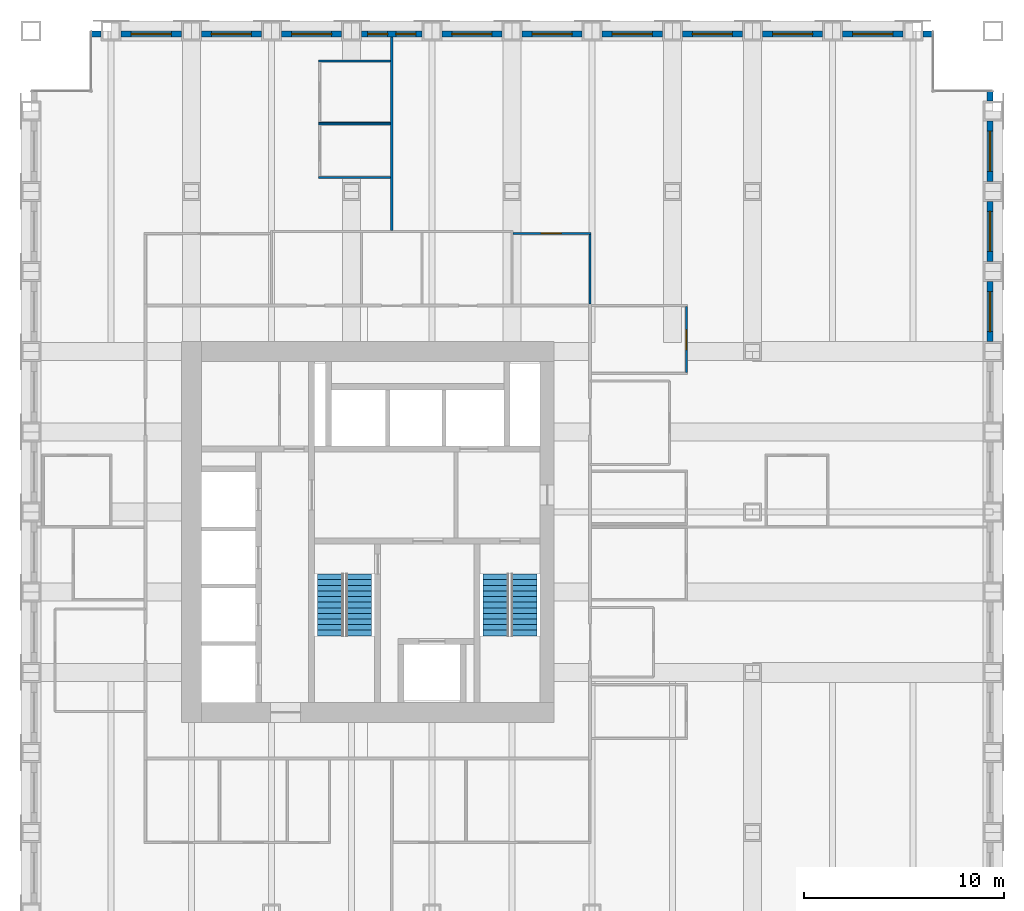
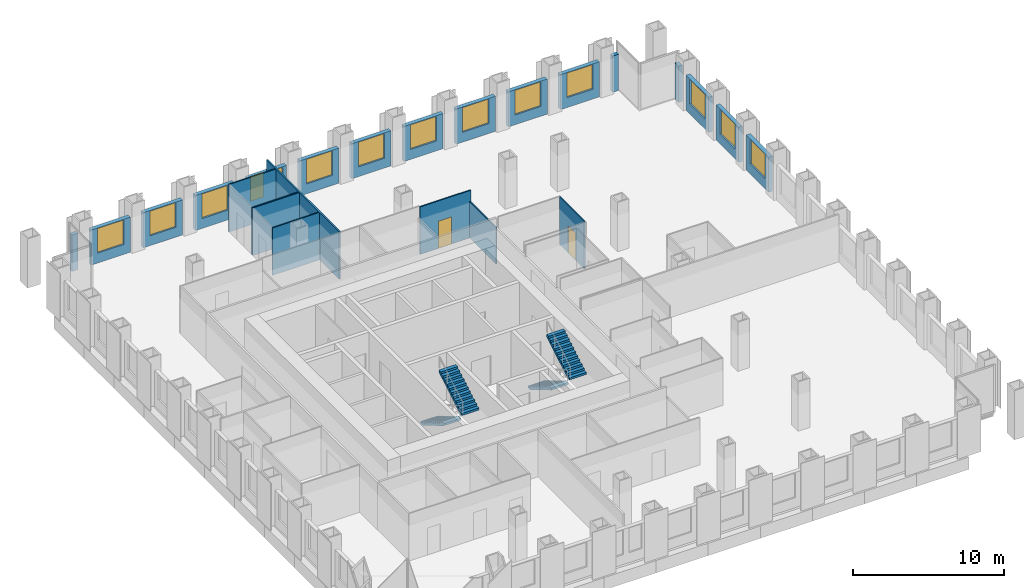
# One storey, part 14 of 16: 24 walls, 14 windows, 4 stair flights, 2 doors, 16 openings, 2 elements without a shape of their own.
"""IFC4 building model written with IfcOpenShell, lengths in metres."""

from ifc_helpers import new_model, si_unit, direction, frame, frame_2d, origin, place, context, subcontext, project, spatial, polyline, rectangle, outline, extrude, material, layer, layer_set, type_object, element, fill, aggregate, save


model = new_model("IFC4")

# Units and contexts
model_context = context("Model", 3, precision=1e-05, world=origin(), true_north=direction((0.0, 1.0)))
body_context = subcontext(model_context, "Body", "Model", "MODEL_VIEW")
ifc_project = project(units=[si_unit("LENGTHUNIT", "METRE"), si_unit("AREAUNIT", "SQUARE_METRE"), si_unit("VOLUMEUNIT", "CUBIC_METRE"), si_unit("PLANEANGLEUNIT", "RADIAN"), si_unit("MASSUNIT", "GRAM", prefix="KILO")], contexts=[model_context])

# Site, building, storey
site_placement = place(None, origin())
site = spatial("IfcSite", under=ifc_project, at=site_placement, CompositionType="ELEMENT")
building_placement = place(site_placement, origin())
building = spatial("IfcBuilding", under=site, at=building_placement, Name="Rimbunsela Tower", CompositionType="ELEMENT")
storey_placement = place(building_placement, frame((0.0, 0.0, 125.39990234375)))
storey = spatial("IfcBuildingStorey", under=building, at=storey_placement, Name="L30", CompositionType="ELEMENT", Elevation=125.39990234375)

# Wall, opening, door
ifc_material_1 = material(Name="Gypsum board on steel studs", Category="steel")
ifc_layer_1 = layer(ifc_material_1, 0.10009765625)
ifc_layer_set_1 = layer_set([ifc_layer_1], Name="Office partition 100")
wall_type_1 = type_object("IfcWallType", Name="Office partition 100", PredefinedType="PARTITIONING", material=ifc_layer_set_1)
wall_1_placement = place(storey_placement, frame((34.050048828125, 41.89990234375, 0.0), z_axis=(0.0, 0.0, 1.0), x_axis=(1.0, 0.0, 0.0)))
wall_1 = element("IfcWall", 1, at=wall_1_placement, inside=storey, type_object=wall_type_1, Name="Office partition", PredefinedType="PARTITIONING", context=body_context, shape_type="SweptSolid", body=[
    extrude(rectangle(XDim=3.89990234375, YDim=0.10009765625, at=frame_2d((1.949951171875, 0.0))), origin(), (0.0, 0.0, 1.0), 3.85009765625),
])
opening_1_placement = place(wall_1_placement, frame((1.39990234375, 0.0, 0.0)))
opening_1 = element("IfcOpeningElement", 2, at=opening_1_placement, cuts=wall_1, Name="Opening D17", PredefinedType="OPENING", context=body_context, shape_type="SweptSolid", body=[
    extrude(rectangle(XDim=1.0, YDim=2.199951171875, at=frame_2d((0.5, 1.10009765625))), frame((0.0, 0.06005859375, 0.0), z_axis=(0.0, -1.0, 0.0), x_axis=(1.0, 0.0, 0.0)), (0.0, 0.0, 1.0), 0.1201171875),
])
ifc_material_2 = material(Name="Glazed aluminium door", Category="aluminium")
door_type_1 = type_object("IfcDoorType", Name="Meeting room door 1000 glazed", OperationType="SINGLE_SWING_RIGHT", PredefinedType="DOOR", material=ifc_material_2)
door_1_placement = place(opening_1_placement, origin())
door_1 = element("IfcDoor", 3, at=door_1_placement, inside=storey, type_object=door_type_1, Name="Meeting room door", OperationType="SINGLE_SWING_RIGHT", OverallHeight=2.199951171875, OverallWidth=1.0, PredefinedType="DOOR", context=body_context, shape_type="SweptSolid", body=[
    extrude(rectangle(XDim=1.0, YDim=2.199951171875, at=frame_2d((0.5, 1.10009765625))), frame((0.0, 0.02490234375, 0.0), z_axis=(0.0, -1.0, 0.0), x_axis=(1.0, 0.0, 0.0)), (0.0, 0.0, 1.0), 0.050048828125),
])
fill(opening_1, door_1)

# Walls
for number, where, z_axis, x_axis, name in (
    (4, (24.35009765625, 44.699951171875, 0.0), (0.0, 0.0, 1.0), (1.0, 0.0, 0.0), "Office partition"),
    (5, (24.35009765625, 47.35009765625, 0.0), (0.0, 0.0, 1.0), (1.0, 0.0, 0.0), "Office partition"),
    (6, (24.35009765625, 47.39990234375, 0.0), (0.0, 0.0, 1.0), (1.0, 0.0, 0.0), "Office partition"),
    (7, (24.35009765625, 50.5, 0.0), (0.0, 0.0, 1.0), (1.0, 0.0, 0.0), "Office partition"),
):
    element("IfcWall", number, at=place(storey_placement, frame(where, z_axis=z_axis, x_axis=x_axis)), inside=storey, type_object=wall_type_1, Name=name, PredefinedType="PARTITIONING", context=body_context, shape_type="SweptSolid", body=[
        extrude(rectangle(XDim=3.58984375, YDim=0.10009765625, at=frame_2d((1.794921875, 0.0))), origin(), (0.0, 0.0, 1.0), 3.85009765625),
    ])
wall_2_placement = place(storey_placement, frame((37.89990234375, 38.375, 0.0), z_axis=(0.0, 0.0, 1.0), x_axis=(0.0, 1.0, 0.0)))
element("IfcWall", 8, at=wall_2_placement, inside=storey, type_object=wall_type_1, Name="Office partition", PredefinedType="PARTITIONING", context=body_context, shape_type="SweptSolid", body=[
    extrude(rectangle(XDim=3.47509765625, YDim=0.10009765625, at=frame_2d((1.737548828125, 0.0))), origin(), (0.0, 0.0, 1.0), 2.9501953125),
])

# Wall, opening, door
wall_3_placement = place(storey_placement, frame((42.699951171875, 34.949951171875, 0.0), z_axis=(0.0, 0.0, 1.0), x_axis=(0.0, 1.0, 0.0)))
wall_3 = element("IfcWall", 9, at=wall_3_placement, inside=storey, type_object=wall_type_1, Name="Office partition", PredefinedType="PARTITIONING", context=body_context, shape_type="SweptSolid", body=[
    extrude(rectangle(XDim=3.300048828125, YDim=0.10009765625, at=frame_2d((1.64990234375, 0.0))), origin(), (0.0, 0.0, 1.0), 3.85009765625),
])
opening_2_placement = place(wall_3_placement, frame((1.14990234375, 0.0, 0.0)))
opening_2 = element("IfcOpeningElement", 10, at=opening_2_placement, cuts=wall_3, Name="Opening D16", PredefinedType="OPENING", context=body_context, shape_type="SweptSolid", body=[
    extrude(rectangle(XDim=1.0, YDim=2.199951171875, at=frame_2d((0.5, 1.10009765625))), frame((0.0, 0.06005859375, 0.0), z_axis=(0.0, -1.0, 0.0), x_axis=(1.0, 0.0, 0.0)), (0.0, 0.0, 1.0), 0.1201171875),
])
ifc_material_3 = material(Name="Timber door", Category="wood")
door_type_2 = type_object("IfcDoorType", Name="Office door 1000", OperationType="SINGLE_SWING_LEFT", PredefinedType="DOOR", material=ifc_material_3)
door_2_placement = place(opening_2_placement, origin())
door_2 = element("IfcDoor", 11, at=door_2_placement, inside=storey, type_object=door_type_2, Name="Office door", OperationType="SINGLE_SWING_LEFT", OverallHeight=2.199951171875, OverallWidth=1.0, PredefinedType="DOOR", context=body_context, shape_type="SweptSolid", body=[
    extrude(rectangle(XDim=1.0, YDim=2.199951171875, at=frame_2d((0.5, 1.10009765625))), frame((0.0, 0.02490234375, 0.0), z_axis=(0.0, -1.0, 0.0), x_axis=(1.0, 0.0, 0.0)), (0.0, 0.0, 1.0), 0.050048828125),
])
fill(opening_2, door_2)

# Wall, opening, window
ifc_material_4 = material(Name="Precast concrete fc' 35 MPa", Category="concrete")
ifc_layer_2 = layer(ifc_material_4, 0.300048828125)
ifc_layer_set_2 = layer_set([ifc_layer_2], Name="Precast concrete fc' 35 MPa")
wall_type_2 = type_object("IfcWallType", Name="Precast facade panel 300", PredefinedType="ELEMENTEDWALL", material=ifc_layer_set_2)
wall_4_placement = place(storey_placement, frame((57.85009765625, 36.5, 0.0), z_axis=(0.0, 0.0, 1.0), x_axis=(0.0, 1.0, 0.0)))
wall_4 = element("IfcWall", 12, at=wall_4_placement, inside=storey, type_object=wall_type_2, Name="Facade panel E L30", PredefinedType="ELEMENTEDWALL", context=body_context, shape_type="SweptSolid", body=[
    extrude(rectangle(XDim=3.0, YDim=0.300048828125, at=frame_2d((1.5, 0.0))), origin(), (0.0, 0.0, 1.0), 2.85009765625),
])
opening_3_placement = place(wall_4_placement, frame((0.5, 0.0, 0.800048828125)))
opening_3 = element("IfcOpeningElement", 13, at=opening_3_placement, cuts=wall_4, Name="Opening W1", PredefinedType="OPENING", context=body_context, shape_type="SweptSolid", body=[
    extrude(rectangle(XDim=2.0, YDim=2.0, at=frame_2d((1.0, 1.0))), frame((0.0, 0.159912109375, 0.0), z_axis=(0.0, -1.0, 0.0), x_axis=(1.0, 0.0, 0.0)), (0.0, 0.0, 1.0), 0.320068359375),
])
ifc_material_5 = material(Name="Clear glass in aluminium frame", Category="aluminium")
window_type_1 = type_object("IfcWindowType", Name="Window W1 2000x2000", PartitioningType="DOUBLE_PANEL_VERTICAL", PredefinedType="WINDOW", material=ifc_material_5)
window_1_placement = place(opening_3_placement, origin())
window_1 = element("IfcWindow", 14, at=window_1_placement, inside=storey, type_object=window_type_1, Name="Window L30", OverallHeight=2.0, OverallWidth=2.0, PartitioningType="SINGLE_PANEL", PredefinedType="WINDOW", context=body_context, shape_type="SweptSolid", body=[
    extrude(rectangle(XDim=2.0, YDim=2.0, at=frame_2d((1.0, 1.0))), frame((0.0, 0.030029296875, 0.0), z_axis=(0.0, -1.0, 0.0), x_axis=(1.0, 0.0, 0.0)), (0.0, 0.0, 1.0), 0.06005859375),
])
fill(opening_3, window_1)

wall_5_placement = place(storey_placement, frame((57.85009765625, 40.5, 0.0), z_axis=(0.0, 0.0, 1.0), x_axis=(0.0, 1.0, 0.0)))
wall_5 = element("IfcWall", 15, at=wall_5_placement, inside=storey, type_object=wall_type_2, Name="Facade panel E L30", PredefinedType="ELEMENTEDWALL", context=body_context, shape_type="SweptSolid", body=[
    extrude(rectangle(XDim=3.0, YDim=0.300048828125, at=frame_2d((1.5, 0.0))), origin(), (0.0, 0.0, 1.0), 2.85009765625),
])
opening_4_placement = place(wall_5_placement, frame((0.5, 0.0, 0.800048828125)))
opening_4 = element("IfcOpeningElement", 16, at=opening_4_placement, cuts=wall_5, Name="Opening W1", PredefinedType="OPENING", context=body_context, shape_type="SweptSolid", body=[
    extrude(rectangle(XDim=2.0, YDim=2.0, at=frame_2d((1.0, 1.0))), frame((0.0, 0.159912109375, 0.0), z_axis=(0.0, -1.0, 0.0), x_axis=(1.0, 0.0, 0.0)), (0.0, 0.0, 1.0), 0.320068359375),
])
window_2_placement = place(opening_4_placement, origin())
window_2 = element("IfcWindow", 17, at=window_2_placement, inside=storey, type_object=window_type_1, Name="Window L30", OverallHeight=2.0, OverallWidth=2.0, PartitioningType="SINGLE_PANEL", PredefinedType="WINDOW", context=body_context, shape_type="SweptSolid", body=[
    extrude(rectangle(XDim=2.0, YDim=2.0, at=frame_2d((1.0, 1.0))), frame((0.0, 0.030029296875, 0.0), z_axis=(0.0, -1.0, 0.0), x_axis=(1.0, 0.0, 0.0)), (0.0, 0.0, 1.0), 0.06005859375),
])
fill(opening_4, window_2)

wall_6_placement = place(storey_placement, frame((57.85009765625, 44.5, 0.0), z_axis=(0.0, 0.0, 1.0), x_axis=(0.0, 1.0, 0.0)))
wall_6 = element("IfcWall", 18, at=wall_6_placement, inside=storey, type_object=wall_type_2, Name="Facade panel E L30", PredefinedType="ELEMENTEDWALL", context=body_context, shape_type="SweptSolid", body=[
    extrude(rectangle(XDim=3.0, YDim=0.300048828125, at=frame_2d((1.5, 0.0))), origin(), (0.0, 0.0, 1.0), 2.85009765625),
])
opening_5_placement = place(wall_6_placement, frame((0.5, 0.0, 0.800048828125)))
opening_5 = element("IfcOpeningElement", 19, at=opening_5_placement, cuts=wall_6, Name="Opening W1", PredefinedType="OPENING", context=body_context, shape_type="SweptSolid", body=[
    extrude(rectangle(XDim=2.0, YDim=2.0, at=frame_2d((1.0, 1.0))), frame((0.0, 0.159912109375, 0.0), z_axis=(0.0, -1.0, 0.0), x_axis=(1.0, 0.0, 0.0)), (0.0, 0.0, 1.0), 0.320068359375),
])
window_3_placement = place(opening_5_placement, origin())
window_3 = element("IfcWindow", 20, at=window_3_placement, inside=storey, type_object=window_type_1, Name="Window L30", OverallHeight=2.0, OverallWidth=2.0, PartitioningType="SINGLE_PANEL", PredefinedType="WINDOW", context=body_context, shape_type="SweptSolid", body=[
    extrude(rectangle(XDim=2.0, YDim=2.0, at=frame_2d((1.0, 1.0))), frame((0.0, 0.030029296875, 0.0), z_axis=(0.0, -1.0, 0.0), x_axis=(1.0, 0.0, 0.0)), (0.0, 0.0, 1.0), 0.06005859375),
])
fill(opening_5, window_3)

# Walls
for number, where, z_axis, x_axis, name in (
    (21, (57.85009765625, 48.5, 0.0), (0.0, 0.0, 1.0), (0.0, 1.0, 0.0), "Facade panel E L30"),
    (22, (13.5, 51.85009765625, 0.0), (0.0, 0.0, 1.0), (-1.0, 0.0, 0.0), "Facade panel N L30"),
):
    element("IfcWall", number, at=place(storey_placement, frame(where, z_axis=z_axis, x_axis=x_axis)), inside=storey, type_object=wall_type_2, Name=name, PredefinedType="ELEMENTEDWALL", context=body_context, shape_type="SweptSolid", body=[
        extrude(rectangle(XDim=0.469970703125, YDim=0.300048828125, at=frame_2d((0.23486328125, 0.0))), origin(), (0.0, 0.0, 1.0), 2.9501953125),
    ])

# Wall, opening, window
wall_7_placement = place(storey_placement, frame((17.5, 51.85009765625, 0.0), z_axis=(0.0, 0.0, 1.0), x_axis=(-1.0, 0.0, 0.0)))
wall_7 = element("IfcWall", 23, at=wall_7_placement, inside=storey, type_object=wall_type_2, Name="Facade panel N L30", PredefinedType="ELEMENTEDWALL", context=body_context, shape_type="SweptSolid", body=[
    extrude(rectangle(XDim=3.0, YDim=0.300048828125, at=frame_2d((1.5, 0.0))), origin(), (0.0, 0.0, 1.0), 2.85009765625),
])
opening_6_placement = place(wall_7_placement, frame((0.5, 0.0, 0.800048828125)))
opening_6 = element("IfcOpeningElement", 24, at=opening_6_placement, cuts=wall_7, Name="Opening W1", PredefinedType="OPENING", context=body_context, shape_type="SweptSolid", body=[
    extrude(rectangle(XDim=2.0, YDim=2.0, at=frame_2d((1.0, 1.0))), frame((0.0, 0.159912109375, 0.0), z_axis=(0.0, -1.0, 0.0), x_axis=(1.0, 0.0, 0.0)), (0.0, 0.0, 1.0), 0.320068359375),
])
window_4_placement = place(opening_6_placement, origin())
window_4 = element("IfcWindow", 25, at=window_4_placement, inside=storey, type_object=window_type_1, Name="Window L30", OverallHeight=2.0, OverallWidth=2.0, PartitioningType="SINGLE_PANEL", PredefinedType="WINDOW", context=body_context, shape_type="SweptSolid", body=[
    extrude(rectangle(XDim=2.0, YDim=2.0, at=frame_2d((1.0, 1.0))), frame((0.0, 0.030029296875, 0.0), z_axis=(0.0, -1.0, 0.0), x_axis=(1.0, 0.0, 0.0)), (0.0, 0.0, 1.0), 0.06005859375),
])
fill(opening_6, window_4)

wall_8_placement = place(storey_placement, frame((21.5, 51.85009765625, 0.0), z_axis=(0.0, 0.0, 1.0), x_axis=(-1.0, 0.0, 0.0)))
wall_8 = element("IfcWall", 26, at=wall_8_placement, inside=storey, type_object=wall_type_2, Name="Facade panel N L30", PredefinedType="ELEMENTEDWALL", context=body_context, shape_type="SweptSolid", body=[
    extrude(rectangle(XDim=3.0, YDim=0.300048828125, at=frame_2d((1.5, 0.0))), origin(), (0.0, 0.0, 1.0), 2.85009765625),
])
opening_7_placement = place(wall_8_placement, frame((0.5, 0.0, 0.800048828125)))
opening_7 = element("IfcOpeningElement", 27, at=opening_7_placement, cuts=wall_8, Name="Opening W1", PredefinedType="OPENING", context=body_context, shape_type="SweptSolid", body=[
    extrude(rectangle(XDim=2.0, YDim=2.0, at=frame_2d((1.0, 1.0))), frame((0.0, 0.159912109375, 0.0), z_axis=(0.0, -1.0, 0.0), x_axis=(1.0, 0.0, 0.0)), (0.0, 0.0, 1.0), 0.320068359375),
])
window_5_placement = place(opening_7_placement, origin())
window_5 = element("IfcWindow", 28, at=window_5_placement, inside=storey, type_object=window_type_1, Name="Window L30", OverallHeight=2.0, OverallWidth=2.0, PartitioningType="SINGLE_PANEL", PredefinedType="WINDOW", context=body_context, shape_type="SweptSolid", body=[
    extrude(rectangle(XDim=2.0, YDim=2.0, at=frame_2d((1.0, 1.0))), frame((0.0, 0.030029296875, 0.0), z_axis=(0.0, -1.0, 0.0), x_axis=(1.0, 0.0, 0.0)), (0.0, 0.0, 1.0), 0.06005859375),
])
fill(opening_7, window_5)

wall_9_placement = place(storey_placement, frame((25.5, 51.85009765625, 0.0), z_axis=(0.0, 0.0, 1.0), x_axis=(-1.0, 0.0, 0.0)))
wall_9 = element("IfcWall", 29, at=wall_9_placement, inside=storey, type_object=wall_type_2, Name="Facade panel N L30", PredefinedType="ELEMENTEDWALL", context=body_context, shape_type="SweptSolid", body=[
    extrude(rectangle(XDim=3.0, YDim=0.300048828125, at=frame_2d((1.5, 0.0))), origin(), (0.0, 0.0, 1.0), 2.85009765625),
])
opening_8_placement = place(wall_9_placement, frame((0.5, 0.0, 0.800048828125)))
opening_8 = element("IfcOpeningElement", 30, at=opening_8_placement, cuts=wall_9, Name="Opening W1", PredefinedType="OPENING", context=body_context, shape_type="SweptSolid", body=[
    extrude(rectangle(XDim=2.0, YDim=2.0, at=frame_2d((1.0, 1.0))), frame((0.0, 0.159912109375, 0.0), z_axis=(0.0, -1.0, 0.0), x_axis=(1.0, 0.0, 0.0)), (0.0, 0.0, 1.0), 0.320068359375),
])
window_6_placement = place(opening_8_placement, origin())
window_6 = element("IfcWindow", 31, at=window_6_placement, inside=storey, type_object=window_type_1, Name="Window L30", OverallHeight=2.0, OverallWidth=2.0, PartitioningType="SINGLE_PANEL", PredefinedType="WINDOW", context=body_context, shape_type="SweptSolid", body=[
    extrude(rectangle(XDim=2.0, YDim=2.0, at=frame_2d((1.0, 1.0))), frame((0.0, 0.030029296875, 0.0), z_axis=(0.0, -1.0, 0.0), x_axis=(1.0, 0.0, 0.0)), (0.0, 0.0, 1.0), 0.06005859375),
])
fill(opening_8, window_6)

# Wall, openings, windows
wall_10_placement = place(storey_placement, frame((29.5, 51.85009765625, 0.0), z_axis=(0.0, 0.0, 1.0), x_axis=(-1.0, 0.0, 0.0)))
wall_10 = element("IfcWall", 32, at=wall_10_placement, inside=storey, type_object=wall_type_2, Name="Facade panel N L30", PredefinedType="ELEMENTEDWALL", context=body_context, shape_type="SweptSolid", body=[
    extrude(rectangle(XDim=3.0, YDim=0.300048828125, at=frame_2d((1.5, 0.0))), origin(), (0.0, 0.0, 1.0), 2.85009765625),
])
opening_9_placement = place(wall_10_placement, frame((1.699951171875, 0.0, 0.800048828125)))
opening_9 = element("IfcOpeningElement", 33, at=opening_9_placement, cuts=wall_10, Name="Opening W5", PredefinedType="OPENING", context=body_context, shape_type="SweptSolid", body=[
    extrude(rectangle(XDim=1.0, YDim=2.0, at=frame_2d((0.5, 1.0))), frame((0.0, 0.159912109375, 0.0), z_axis=(0.0, -1.0, 0.0), x_axis=(1.0, 0.0, 0.0)), (0.0, 0.0, 1.0), 0.320068359375),
])
opening_10_placement = place(wall_10_placement, frame((0.300048828125, 0.0, 0.800048828125)))
opening_10 = element("IfcOpeningElement", 34, at=opening_10_placement, cuts=wall_10, Name="Opening W5", PredefinedType="OPENING", context=body_context, shape_type="SweptSolid", body=[
    extrude(rectangle(XDim=1.0, YDim=2.0, at=frame_2d((0.5, 1.0))), frame((0.0, 0.159912109375, 0.0), z_axis=(0.0, -1.0, 0.0), x_axis=(1.0, 0.0, 0.0)), (0.0, 0.0, 1.0), 0.320068359375),
])
ifc_material_6 = material(Name="Clear glass in aluminium frame", Category="aluminium")
window_type_2 = type_object("IfcWindowType", Name="Window W5 1000x2000", PartitioningType="SINGLE_PANEL", PredefinedType="WINDOW", material=ifc_material_6)
window_7_placement = place(opening_9_placement, origin())
window_7 = element("IfcWindow", 35, at=window_7_placement, inside=storey, type_object=window_type_2, Name="Window L30", OverallHeight=2.0, OverallWidth=1.0, PartitioningType="SINGLE_PANEL", PredefinedType="WINDOW", context=body_context, shape_type="SweptSolid", body=[
    extrude(rectangle(XDim=1.0, YDim=2.0, at=frame_2d((0.5, 1.0))), frame((0.0, 0.030029296875, 0.0), z_axis=(0.0, -1.0, 0.0), x_axis=(1.0, 0.0, 0.0)), (0.0, 0.0, 1.0), 0.06005859375),
])
fill(opening_9, window_7)
window_8_placement = place(opening_10_placement, origin())
window_8 = element("IfcWindow", 36, at=window_8_placement, inside=storey, type_object=window_type_2, Name="Window L30", OverallHeight=2.0, OverallWidth=1.0, PartitioningType="SINGLE_PANEL", PredefinedType="WINDOW", context=body_context, shape_type="SweptSolid", body=[
    extrude(rectangle(XDim=1.0, YDim=2.0, at=frame_2d((0.5, 1.0))), frame((0.0, 0.030029296875, 0.0), z_axis=(0.0, -1.0, 0.0), x_axis=(1.0, 0.0, 0.0)), (0.0, 0.0, 1.0), 0.06005859375),
])
fill(opening_10, window_8)

# Wall, opening, window
wall_11_placement = place(storey_placement, frame((33.5, 51.85009765625, 0.0), z_axis=(0.0, 0.0, 1.0), x_axis=(-1.0, 0.0, 0.0)))
wall_11 = element("IfcWall", 37, at=wall_11_placement, inside=storey, type_object=wall_type_2, Name="Facade panel N L30", PredefinedType="ELEMENTEDWALL", context=body_context, shape_type="SweptSolid", body=[
    extrude(rectangle(XDim=3.0, YDim=0.300048828125, at=frame_2d((1.5, 0.0))), origin(), (0.0, 0.0, 1.0), 2.85009765625),
])
opening_11_placement = place(wall_11_placement, frame((0.5, 0.0, 0.800048828125)))
opening_11 = element("IfcOpeningElement", 38, at=opening_11_placement, cuts=wall_11, Name="Opening W1", PredefinedType="OPENING", context=body_context, shape_type="SweptSolid", body=[
    extrude(rectangle(XDim=2.0, YDim=2.0, at=frame_2d((1.0, 1.0))), frame((0.0, 0.159912109375, 0.0), z_axis=(0.0, -1.0, 0.0), x_axis=(1.0, 0.0, 0.0)), (0.0, 0.0, 1.0), 0.320068359375),
])
window_9_placement = place(opening_11_placement, origin())
window_9 = element("IfcWindow", 39, at=window_9_placement, inside=storey, type_object=window_type_1, Name="Window L30", OverallHeight=2.0, OverallWidth=2.0, PartitioningType="SINGLE_PANEL", PredefinedType="WINDOW", context=body_context, shape_type="SweptSolid", body=[
    extrude(rectangle(XDim=2.0, YDim=2.0, at=frame_2d((1.0, 1.0))), frame((0.0, 0.030029296875, 0.0), z_axis=(0.0, -1.0, 0.0), x_axis=(1.0, 0.0, 0.0)), (0.0, 0.0, 1.0), 0.06005859375),
])
fill(opening_11, window_9)

wall_12_placement = place(storey_placement, frame((37.5, 51.85009765625, 0.0), z_axis=(0.0, 0.0, 1.0), x_axis=(-1.0, 0.0, 0.0)))
wall_12 = element("IfcWall", 40, at=wall_12_placement, inside=storey, type_object=wall_type_2, Name="Facade panel N L30", PredefinedType="ELEMENTEDWALL", context=body_context, shape_type="SweptSolid", body=[
    extrude(rectangle(XDim=3.0, YDim=0.300048828125, at=frame_2d((1.5, 0.0))), origin(), (0.0, 0.0, 1.0), 2.85009765625),
])
opening_12_placement = place(wall_12_placement, frame((0.5, 0.0, 0.800048828125)))
opening_12 = element("IfcOpeningElement", 41, at=opening_12_placement, cuts=wall_12, Name="Opening W1", PredefinedType="OPENING", context=body_context, shape_type="SweptSolid", body=[
    extrude(rectangle(XDim=2.0, YDim=2.0, at=frame_2d((1.0, 1.0))), frame((0.0, 0.159912109375, 0.0), z_axis=(0.0, -1.0, 0.0), x_axis=(1.0, 0.0, 0.0)), (0.0, 0.0, 1.0), 0.320068359375),
])
window_10_placement = place(opening_12_placement, origin())
window_10 = element("IfcWindow", 42, at=window_10_placement, inside=storey, type_object=window_type_1, Name="Window L30", OverallHeight=2.0, OverallWidth=2.0, PartitioningType="SINGLE_PANEL", PredefinedType="WINDOW", context=body_context, shape_type="SweptSolid", body=[
    extrude(rectangle(XDim=2.0, YDim=2.0, at=frame_2d((1.0, 1.0))), frame((0.0, 0.030029296875, 0.0), z_axis=(0.0, -1.0, 0.0), x_axis=(1.0, 0.0, 0.0)), (0.0, 0.0, 1.0), 0.06005859375),
])
fill(opening_12, window_10)

wall_13_placement = place(storey_placement, frame((41.5, 51.85009765625, 0.0), z_axis=(0.0, 0.0, 1.0), x_axis=(-1.0, 0.0, 0.0)))
wall_13 = element("IfcWall", 43, at=wall_13_placement, inside=storey, type_object=wall_type_2, Name="Facade panel N L30", PredefinedType="ELEMENTEDWALL", context=body_context, shape_type="SweptSolid", body=[
    extrude(rectangle(XDim=3.0, YDim=0.300048828125, at=frame_2d((1.5, 0.0))), origin(), (0.0, 0.0, 1.0), 2.85009765625),
])
opening_13_placement = place(wall_13_placement, frame((0.5, 0.0, 0.800048828125)))
opening_13 = element("IfcOpeningElement", 44, at=opening_13_placement, cuts=wall_13, Name="Opening W1", PredefinedType="OPENING", context=body_context, shape_type="SweptSolid", body=[
    extrude(rectangle(XDim=2.0, YDim=2.0, at=frame_2d((1.0, 1.0))), frame((0.0, 0.159912109375, 0.0), z_axis=(0.0, -1.0, 0.0), x_axis=(1.0, 0.0, 0.0)), (0.0, 0.0, 1.0), 0.320068359375),
])
window_11_placement = place(opening_13_placement, origin())
window_11 = element("IfcWindow", 45, at=window_11_placement, inside=storey, type_object=window_type_1, Name="Window L30", OverallHeight=2.0, OverallWidth=2.0, PartitioningType="SINGLE_PANEL", PredefinedType="WINDOW", context=body_context, shape_type="SweptSolid", body=[
    extrude(rectangle(XDim=2.0, YDim=2.0, at=frame_2d((1.0, 1.0))), frame((0.0, 0.030029296875, 0.0), z_axis=(0.0, -1.0, 0.0), x_axis=(1.0, 0.0, 0.0)), (0.0, 0.0, 1.0), 0.06005859375),
])
fill(opening_13, window_11)

wall_14_placement = place(storey_placement, frame((45.5, 51.85009765625, 0.0), z_axis=(0.0, 0.0, 1.0), x_axis=(-1.0, 0.0, 0.0)))
wall_14 = element("IfcWall", 46, at=wall_14_placement, inside=storey, type_object=wall_type_2, Name="Facade panel N L30", PredefinedType="ELEMENTEDWALL", context=body_context, shape_type="SweptSolid", body=[
    extrude(rectangle(XDim=3.0, YDim=0.300048828125, at=frame_2d((1.5, 0.0))), origin(), (0.0, 0.0, 1.0), 2.85009765625),
])
opening_14_placement = place(wall_14_placement, frame((0.5, 0.0, 0.800048828125)))
opening_14 = element("IfcOpeningElement", 47, at=opening_14_placement, cuts=wall_14, Name="Opening W1", PredefinedType="OPENING", context=body_context, shape_type="SweptSolid", body=[
    extrude(rectangle(XDim=2.0, YDim=2.0, at=frame_2d((1.0, 1.0))), frame((0.0, 0.159912109375, 0.0), z_axis=(0.0, -1.0, 0.0), x_axis=(1.0, 0.0, 0.0)), (0.0, 0.0, 1.0), 0.320068359375),
])
window_12_placement = place(opening_14_placement, origin())
window_12 = element("IfcWindow", 48, at=window_12_placement, inside=storey, type_object=window_type_1, Name="Window L30", OverallHeight=2.0, OverallWidth=2.0, PartitioningType="SINGLE_PANEL", PredefinedType="WINDOW", context=body_context, shape_type="SweptSolid", body=[
    extrude(rectangle(XDim=2.0, YDim=2.0, at=frame_2d((1.0, 1.0))), frame((0.0, 0.030029296875, 0.0), z_axis=(0.0, -1.0, 0.0), x_axis=(1.0, 0.0, 0.0)), (0.0, 0.0, 1.0), 0.06005859375),
])
fill(opening_14, window_12)

wall_15_placement = place(storey_placement, frame((49.5, 51.85009765625, 0.0), z_axis=(0.0, 0.0, 1.0), x_axis=(-1.0, 0.0, 0.0)))
wall_15 = element("IfcWall", 49, at=wall_15_placement, inside=storey, type_object=wall_type_2, Name="Facade panel N L30", PredefinedType="ELEMENTEDWALL", context=body_context, shape_type="SweptSolid", body=[
    extrude(rectangle(XDim=3.0, YDim=0.300048828125, at=frame_2d((1.5, 0.0))), origin(), (0.0, 0.0, 1.0), 2.85009765625),
])
opening_15_placement = place(wall_15_placement, frame((0.5, 0.0, 0.800048828125)))
opening_15 = element("IfcOpeningElement", 50, at=opening_15_placement, cuts=wall_15, Name="Opening W1", PredefinedType="OPENING", context=body_context, shape_type="SweptSolid", body=[
    extrude(rectangle(XDim=2.0, YDim=2.0, at=frame_2d((1.0, 1.0))), frame((0.0, 0.159912109375, 0.0), z_axis=(0.0, -1.0, 0.0), x_axis=(1.0, 0.0, 0.0)), (0.0, 0.0, 1.0), 0.320068359375),
])
window_13_placement = place(opening_15_placement, origin())
window_13 = element("IfcWindow", 51, at=window_13_placement, inside=storey, type_object=window_type_1, Name="Window L30", OverallHeight=2.0, OverallWidth=2.0, PartitioningType="SINGLE_PANEL", PredefinedType="WINDOW", context=body_context, shape_type="SweptSolid", body=[
    extrude(rectangle(XDim=2.0, YDim=2.0, at=frame_2d((1.0, 1.0))), frame((0.0, 0.030029296875, 0.0), z_axis=(0.0, -1.0, 0.0), x_axis=(1.0, 0.0, 0.0)), (0.0, 0.0, 1.0), 0.06005859375),
])
fill(opening_15, window_13)

wall_16_placement = place(storey_placement, frame((53.5, 51.85009765625, 0.0), z_axis=(0.0, 0.0, 1.0), x_axis=(-1.0, 0.0, 0.0)))
wall_16 = element("IfcWall", 52, at=wall_16_placement, inside=storey, type_object=wall_type_2, Name="Facade panel N L30", PredefinedType="ELEMENTEDWALL", context=body_context, shape_type="SweptSolid", body=[
    extrude(rectangle(XDim=3.0, YDim=0.300048828125, at=frame_2d((1.5, 0.0))), origin(), (0.0, 0.0, 1.0), 2.85009765625),
])
opening_16_placement = place(wall_16_placement, frame((0.5, 0.0, 0.800048828125)))
opening_16 = element("IfcOpeningElement", 53, at=opening_16_placement, cuts=wall_16, Name="Opening W1", PredefinedType="OPENING", context=body_context, shape_type="SweptSolid", body=[
    extrude(rectangle(XDim=2.0, YDim=2.0, at=frame_2d((1.0, 1.0))), frame((0.0, 0.159912109375, 0.0), z_axis=(0.0, -1.0, 0.0), x_axis=(1.0, 0.0, 0.0)), (0.0, 0.0, 1.0), 0.320068359375),
])
window_14_placement = place(opening_16_placement, origin())
window_14 = element("IfcWindow", 54, at=window_14_placement, inside=storey, type_object=window_type_1, Name="Window L30", OverallHeight=2.0, OverallWidth=2.0, PartitioningType="SINGLE_PANEL", PredefinedType="WINDOW", context=body_context, shape_type="SweptSolid", body=[
    extrude(rectangle(XDim=2.0, YDim=2.0, at=frame_2d((1.0, 1.0))), frame((0.0, 0.030029296875, 0.0), z_axis=(0.0, -1.0, 0.0), x_axis=(1.0, 0.0, 0.0)), (0.0, 0.0, 1.0), 0.06005859375),
])
fill(opening_16, window_14)

# Walls
wall_17_placement = place(storey_placement, frame((54.969970703125, 51.85009765625, 0.0), z_axis=(0.0, 0.0, 1.0), x_axis=(-1.0, 0.0, 0.0)))
element("IfcWall", 55, at=wall_17_placement, inside=storey, type_object=wall_type_2, Name="Facade panel N L30", PredefinedType="ELEMENTEDWALL", context=body_context, shape_type="SweptSolid", body=[
    extrude(rectangle(XDim=0.469970703125, YDim=0.300048828125, at=frame_2d((0.23486328125, 0.0))), origin(), (0.0, 0.0, 1.0), 2.9501953125),
])
ifc_material_7 = material(Name="Gypsum board on steel studs", Category="steel")
ifc_layer_3 = layer(ifc_material_7, 0.1201171875)
ifc_layer_set_3 = layer_set([ifc_layer_3], Name="Tenancy partition 120")
wall_type_3 = type_object("IfcWallType", Name="Tenancy partition 120", PredefinedType="PARTITIONING", material=ifc_layer_set_3)
wall_18_placement = place(storey_placement, frame((28.0, 42.050048828125, 0.0), z_axis=(0.0, 0.0, 1.0), x_axis=(0.0, 1.0, 0.0)))
element("IfcWall", 56, at=wall_18_placement, inside=storey, type_object=wall_type_3, Name="Tenancy partition north", PredefinedType="PARTITIONING", context=body_context, shape_type="SweptSolid", body=[
    extrude(rectangle(XDim=9.64990234375, YDim=0.1201171875, at=frame_2d((4.824951171875, 0.0))), origin(), (0.0, 0.0, 1.0), 3.85009765625),
])

# Stair, stair flights
ifc_material_8 = material(Name="Concrete fc' 35 MPa", Category="concrete")
stair_type = type_object("IfcStairType", Name="Exit stair 24 risers", PredefinedType="HALF_TURN_STAIR", material=ifc_material_8)
stair_1_placement = place(storey_placement, origin())
stair_1 = element("IfcStair", 57, at=stair_1_placement, inside=storey, type_object=stair_type, Name="Exit stair A L30", PredefinedType="HALF_TURN_STAIR")
ifc_material_9 = material(Name="Concrete fc' 35 MPa", Category="concrete")
stair_flight_type = type_object("IfcStairFlightType", Name="Stair flight 12 risers 167", PredefinedType="STRAIGHT", material=ifc_material_9)
stair_flight_1_placement = place(storey_placement, frame((24.949951171875, 24.89990234375, 0.0), z_axis=(0.0, 0.0, 1.0), x_axis=(0.0, -1.0, 0.0)))
stair_flight_1 = element("IfcStairFlight", 58, at=stair_flight_1_placement, type_object=stair_flight_type, Name="ST-A flight 1", NumberOfRisers=12, NumberOfTreads=11, PredefinedType="STRAIGHT", RiserHeight=0.166666667, TreadLength=0.28, context=body_context, shape_type="SweptSolid", body=[
    extrude(outline(polyline([(0.0, 0.0), (0.0, 0.166748046875), (0.280029296875, 0.166748046875), (0.280029296875, 0.333251953125), (0.56005859375, 0.333251953125), (0.56005859375, 0.5), (0.840087890625, 0.5), (0.840087890625, 0.666748046875), (1.1201171875, 0.666748046875), (1.1201171875, 0.833251953125), (1.39990234375, 0.833251953125), (1.39990234375, 1.0), (1.679931640625, 1.0), (1.679931640625, 1.166748046875), (1.9599609375, 1.166748046875), (1.9599609375, 1.333251953125), (2.239990234375, 1.333251953125), (2.239990234375, 1.5), (2.52001953125, 1.5), (2.52001953125, 1.666748046875), (2.800048828125, 1.666748046875), (2.800048828125, 1.833251953125), (3.080078125, 1.833251953125), (3.080078125, 2.0), (3.080078125, 1.658935546875), (0.29296875, 0.0), (0.0, 0.0)])), frame((0.0, 0.64990234375, 0.0), z_axis=(0.0, -1.0, 0.0), x_axis=(1.0, 0.0, 0.0)), (0.0, 0.0, 1.0), 1.300048828125),
])
stair_flight_2_placement = place(storey_placement, frame((26.35009765625, 21.820068359375, 2.0), z_axis=(0.0, 0.0, 1.0), x_axis=(0.0, 1.0, 0.0)))
stair_flight_2 = element("IfcStairFlight", 59, at=stair_flight_2_placement, type_object=stair_flight_type, Name="ST-A flight 2", NumberOfRisers=12, NumberOfTreads=11, PredefinedType="STRAIGHT", RiserHeight=0.166666667, TreadLength=0.28, context=body_context, shape_type="SweptSolid", body=[
    extrude(outline(polyline([(0.0, 0.0), (0.0, 0.166748046875), (0.280029296875, 0.166748046875), (0.280029296875, 0.333251953125), (0.56005859375, 0.333251953125), (0.56005859375, 0.5), (0.840087890625, 0.5), (0.840087890625, 0.666748046875), (1.1201171875, 0.666748046875), (1.1201171875, 0.833251953125), (1.39990234375, 0.833251953125), (1.39990234375, 1.0), (1.679931640625, 1.0), (1.679931640625, 1.166748046875), (1.9599609375, 1.166748046875), (1.9599609375, 1.333251953125), (2.239990234375, 1.333251953125), (2.239990234375, 1.5), (2.52001953125, 1.5), (2.52001953125, 1.666748046875), (2.800048828125, 1.666748046875), (2.800048828125, 1.833251953125), (3.080078125, 1.833251953125), (3.080078125, 2.0), (3.080078125, 1.658935546875), (0.29296875, 0.0), (0.0, 0.0)])), frame((0.0, 0.64990234375, 0.0), z_axis=(0.0, -1.0, 0.0), x_axis=(1.0, 0.0, 0.0)), (0.0, 0.0, 1.0), 1.300048828125),
])
aggregate(stair_1, [stair_flight_1, stair_flight_2])

stair_2_placement = place(storey_placement, origin())
stair_2 = element("IfcStair", 60, at=stair_2_placement, inside=storey, type_object=stair_type, Name="Exit stair B L30", PredefinedType="HALF_TURN_STAIR")
stair_flight_3_placement = place(storey_placement, frame((33.199951171875, 24.89990234375, 0.0), z_axis=(0.0, 0.0, 1.0), x_axis=(0.0, -1.0, 0.0)))
stair_flight_3 = element("IfcStairFlight", 61, at=stair_flight_3_placement, type_object=stair_flight_type, Name="ST-B flight 1", NumberOfRisers=12, NumberOfTreads=11, PredefinedType="STRAIGHT", RiserHeight=0.166666667, TreadLength=0.28, context=body_context, shape_type="SweptSolid", body=[
    extrude(outline(polyline([(0.0, 0.0), (0.0, 0.166748046875), (0.280029296875, 0.166748046875), (0.280029296875, 0.333251953125), (0.56005859375, 0.333251953125), (0.56005859375, 0.5), (0.840087890625, 0.5), (0.840087890625, 0.666748046875), (1.1201171875, 0.666748046875), (1.1201171875, 0.833251953125), (1.39990234375, 0.833251953125), (1.39990234375, 1.0), (1.679931640625, 1.0), (1.679931640625, 1.166748046875), (1.9599609375, 1.166748046875), (1.9599609375, 1.333251953125), (2.239990234375, 1.333251953125), (2.239990234375, 1.5), (2.52001953125, 1.5), (2.52001953125, 1.666748046875), (2.800048828125, 1.666748046875), (2.800048828125, 1.833251953125), (3.080078125, 1.833251953125), (3.080078125, 2.0), (3.080078125, 1.658935546875), (0.29296875, 0.0), (0.0, 0.0)])), frame((0.0, 0.64990234375, 0.0), z_axis=(0.0, -1.0, 0.0), x_axis=(1.0, 0.0, 0.0)), (0.0, 0.0, 1.0), 1.300048828125),
])
stair_flight_4_placement = place(storey_placement, frame((34.60009765625, 21.820068359375, 2.0), z_axis=(0.0, 0.0, 1.0), x_axis=(0.0, 1.0, 0.0)))
stair_flight_4 = element("IfcStairFlight", 62, at=stair_flight_4_placement, type_object=stair_flight_type, Name="ST-B flight 2", NumberOfRisers=12, NumberOfTreads=11, PredefinedType="STRAIGHT", RiserHeight=0.166666667, TreadLength=0.28, context=body_context, shape_type="SweptSolid", body=[
    extrude(outline(polyline([(0.0, 0.0), (0.0, 0.166748046875), (0.280029296875, 0.166748046875), (0.280029296875, 0.333251953125), (0.56005859375, 0.333251953125), (0.56005859375, 0.5), (0.840087890625, 0.5), (0.840087890625, 0.666748046875), (1.1201171875, 0.666748046875), (1.1201171875, 0.833251953125), (1.39990234375, 0.833251953125), (1.39990234375, 1.0), (1.679931640625, 1.0), (1.679931640625, 1.166748046875), (1.9599609375, 1.166748046875), (1.9599609375, 1.333251953125), (2.239990234375, 1.333251953125), (2.239990234375, 1.5), (2.52001953125, 1.5), (2.52001953125, 1.666748046875), (2.800048828125, 1.666748046875), (2.800048828125, 1.833251953125), (3.080078125, 1.833251953125), (3.080078125, 2.0), (3.080078125, 1.658935546875), (0.29296875, 0.0), (0.0, 0.0)])), frame((0.0, 0.64990234375, 0.0), z_axis=(0.0, -1.0, 0.0), x_axis=(1.0, 0.0, 0.0)), (0.0, 0.0, 1.0), 1.300048828125),
])
aggregate(stair_2, [stair_flight_3, stair_flight_4])

save(model, "model.ifc")
